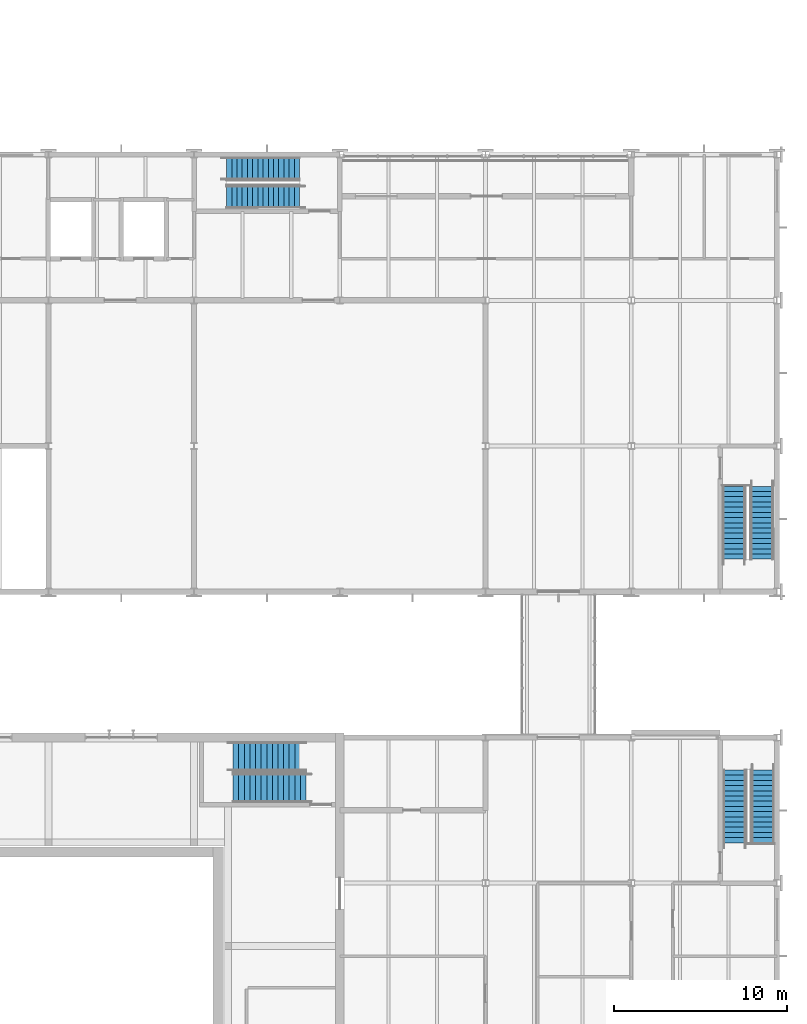
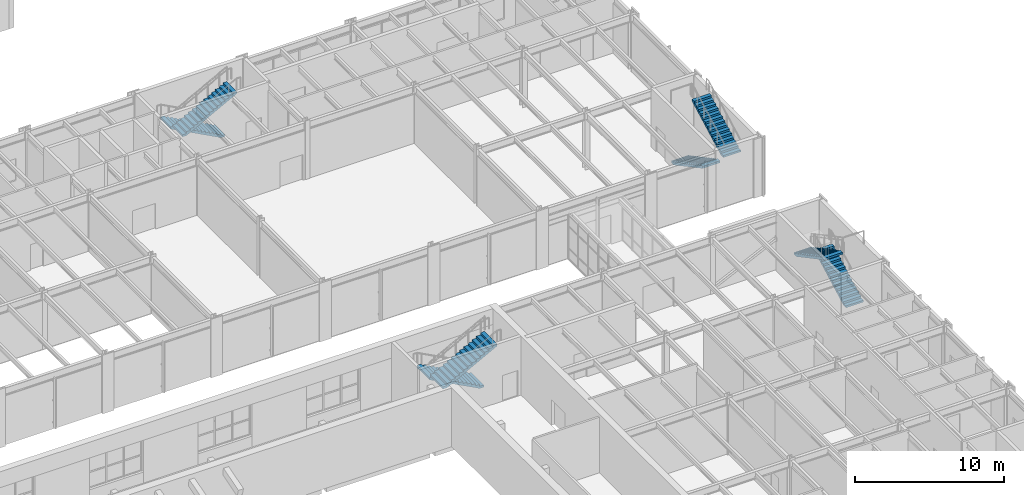
# One storey, part 87 of 127: 8 stair flights, 4 elements without a shape of their own.
"""IFC4 building model written with IfcOpenShell, lengths in metres."""

from ifc_helpers import new_model, si_unit, direction, frame, origin, place, context, subcontext, project, spatial, polyline, outline, extrude, material, type_object, element, aggregate, save


model = new_model("IFC4")

# Units and contexts
model_context = context("Model", 3, precision=1e-05, world=origin(), true_north=direction((0.0, 1.0)))
body_context = subcontext(model_context, "Body", "Model", "MODEL_VIEW")
ifc_project = project(units=[si_unit("LENGTHUNIT", "METRE"), si_unit("AREAUNIT", "SQUARE_METRE"), si_unit("VOLUMEUNIT", "CUBIC_METRE"), si_unit("PLANEANGLEUNIT", "RADIAN"), si_unit("MASSUNIT", "GRAM", prefix="KILO")], contexts=[model_context])

# Site, building, storey
site_placement = place(None, origin())
site = spatial("IfcSite", under=ifc_project, at=site_placement, CompositionType="ELEMENT")
building_placement = place(site_placement, origin())
building = spatial("IfcBuilding", under=site, at=building_placement, Name="Ljudholm Concert House", CompositionType="ELEMENT")
storey_placement = place(building_placement, frame((0.0, 0.0, 5.39990234375)))
storey = spatial("IfcBuildingStorey", under=building, at=storey_placement, Name="L01", CompositionType="ELEMENT", Elevation=5.39990234375)

# Stair, stair flights
ifc_material_1 = material(Name="Concrete 5,000 psi", Category="concrete")
stair_type_1 = type_object("IfcStairType", Name="RC STAIR 1350x160x300", PredefinedType="HALF_TURN_STAIR", material=ifc_material_1)
stair_1_placement = place(storey_placement, origin())
stair_1 = element("IfcStair", 1, at=stair_1_placement, inside=storey, type_object=stair_type_1, Name="Stair SB4", PredefinedType="HALF_TURN_STAIR")
ifc_material_2 = material(Name="Concrete 5,000 psi", Category="concrete")
stair_flight_type_1 = type_object("IfcStairFlightType", Name="RC STAIR FLIGHT 1350x160x300", PredefinedType="STRAIGHT", material=ifc_material_2)
stair_flight_1_placement = place(storey_placement, frame((120.77490234375, 90.324951171875, 0.0), z_axis=(0.0, 0.0, 1.0), x_axis=(0.0, 1.0, 0.0)))
stair_flight_1 = element("IfcStairFlight", 2, at=stair_flight_1_placement, type_object=stair_flight_type_1, Name="ST-W01-004 flight 1", NumberOfRisers=15, NumberOfTreads=14, PredefinedType="STRAIGHT", RiserHeight=0.16, TreadLength=0.3, context=body_context, shape_type="SweptSolid", body=[
    extrude(outline(polyline([(0.0, 0.0), (0.0, 0.159912109375), (0.300048828125, 0.159912109375), (0.300048828125, 0.320068359375), (0.60009765625, 0.320068359375), (0.60009765625, 0.47998046875), (0.89990234375, 0.47998046875), (0.89990234375, 0.639892578125), (1.199951171875, 0.639892578125), (1.199951171875, 0.800048828125), (1.5, 0.800048828125), (1.5, 0.9599609375), (1.800048828125, 0.9599609375), (1.800048828125, 1.1201171875), (2.10009765625, 1.1201171875), (2.10009765625, 1.280029296875), (2.39990234375, 1.280029296875), (2.39990234375, 1.43994140625), (2.699951171875, 1.43994140625), (2.699951171875, 1.60009765625), (3.0, 1.60009765625), (3.0, 1.760009765625), (3.300048828125, 1.760009765625), (3.300048828125, 1.919921875), (3.60009765625, 1.919921875), (3.60009765625, 2.080078125), (3.89990234375, 2.080078125), (3.89990234375, 2.239990234375), (4.199951171875, 2.239990234375), (4.199951171875, 2.39990234375), (4.199951171875, 2.070068359375), (0.318603515625, 0.0), (0.0, 0.0)])), frame((0.0, 0.675048828125, 0.0), z_axis=(0.0, -1.0, 0.0), x_axis=(1.0, 0.0, 0.0)), (0.0, 0.0, 1.0), 1.35009765625),
])
stair_flight_2_placement = place(storey_placement, frame((119.175048828125, 94.52490234375, 2.400146484375), z_axis=(0.0, 0.0, 1.0), x_axis=(0.0, -1.0, 0.0)))
stair_flight_2 = element("IfcStairFlight", 3, at=stair_flight_2_placement, type_object=stair_flight_type_1, Name="ST-W01-004 flight 2", NumberOfRisers=15, NumberOfTreads=14, PredefinedType="STRAIGHT", RiserHeight=0.16, TreadLength=0.3, context=body_context, shape_type="SweptSolid", body=[
    extrude(outline(polyline([(0.0, 0.0), (0.0, 0.159912109375), (0.300048828125, 0.159912109375), (0.300048828125, 0.320068359375), (0.60009765625, 0.320068359375), (0.60009765625, 0.47998046875), (0.89990234375, 0.47998046875), (0.89990234375, 0.639892578125), (1.199951171875, 0.639892578125), (1.199951171875, 0.800048828125), (1.5, 0.800048828125), (1.5, 0.9599609375), (1.800048828125, 0.9599609375), (1.800048828125, 1.1201171875), (2.10009765625, 1.1201171875), (2.10009765625, 1.280029296875), (2.39990234375, 1.280029296875), (2.39990234375, 1.43994140625), (2.699951171875, 1.43994140625), (2.699951171875, 1.60009765625), (3.0, 1.60009765625), (3.0, 1.760009765625), (3.300048828125, 1.760009765625), (3.300048828125, 1.919921875), (3.60009765625, 1.919921875), (3.60009765625, 2.080078125), (3.89990234375, 2.080078125), (3.89990234375, 2.239990234375), (4.199951171875, 2.239990234375), (4.199951171875, 2.39990234375), (4.199951171875, 2.070068359375), (0.318603515625, 0.0), (0.0, 0.0)])), frame((0.0, 0.675048828125, 0.0), z_axis=(0.0, -1.0, 0.0), x_axis=(1.0, 0.0, 0.0)), (0.0, 0.0, 1.0), 1.35009765625),
])
aggregate(stair_1, [stair_flight_1, stair_flight_2])

stair_2_placement = place(storey_placement, origin())
stair_2 = element("IfcStair", 4, at=stair_2_placement, inside=storey, type_object=stair_type_1, Name="Stair R2", PredefinedType="HALF_TURN_STAIR")
stair_flight_3_placement = place(storey_placement, frame((94.074951171875, 129.175048828125, 0.0), z_axis=(0.0, 0.0, 1.0), x_axis=(-1.0, 0.0, 0.0)))
stair_flight_3 = element("IfcStairFlight", 5, at=stair_flight_3_placement, type_object=stair_flight_type_1, Name="ST-R01-002 flight 1", NumberOfRisers=15, NumberOfTreads=14, PredefinedType="STRAIGHT", RiserHeight=0.16, TreadLength=0.3, context=body_context, shape_type="SweptSolid", body=[
    extrude(outline(polyline([(0.0, 0.0), (0.0, 0.159912109375), (0.300048828125, 0.159912109375), (0.300048828125, 0.320068359375), (0.60009765625, 0.320068359375), (0.60009765625, 0.47998046875), (0.89990234375, 0.47998046875), (0.89990234375, 0.639892578125), (1.199951171875, 0.639892578125), (1.199951171875, 0.800048828125), (1.5, 0.800048828125), (1.5, 0.9599609375), (1.800048828125, 0.9599609375), (1.800048828125, 1.1201171875), (2.10009765625, 1.1201171875), (2.10009765625, 1.280029296875), (2.39990234375, 1.280029296875), (2.39990234375, 1.43994140625), (2.699951171875, 1.43994140625), (2.699951171875, 1.60009765625), (3.0, 1.60009765625), (3.0, 1.760009765625), (3.300048828125, 1.760009765625), (3.300048828125, 1.919921875), (3.60009765625, 1.919921875), (3.60009765625, 2.080078125), (3.89990234375, 2.080078125), (3.89990234375, 2.239990234375), (4.199951171875, 2.239990234375), (4.199951171875, 2.39990234375), (4.199951171875, 2.070068359375), (0.318603515625, 0.0), (0.0, 0.0)])), frame((0.0, 0.675048828125, 0.0), z_axis=(0.0, -1.0, 0.0), x_axis=(1.0, 0.0, 0.0)), (0.0, 0.0, 1.0), 1.35009765625),
])
stair_flight_4_placement = place(storey_placement, frame((89.875, 127.574951171875, 2.400146484375), z_axis=(0.0, 0.0, 1.0), x_axis=(1.0, 0.0, 0.0)))
stair_flight_4 = element("IfcStairFlight", 6, at=stair_flight_4_placement, type_object=stair_flight_type_1, Name="ST-R01-002 flight 2", NumberOfRisers=15, NumberOfTreads=14, PredefinedType="STRAIGHT", RiserHeight=0.16, TreadLength=0.3, context=body_context, shape_type="SweptSolid", body=[
    extrude(outline(polyline([(0.0, 0.0), (0.0, 0.159912109375), (0.300048828125, 0.159912109375), (0.300048828125, 0.320068359375), (0.60009765625, 0.320068359375), (0.60009765625, 0.47998046875), (0.89990234375, 0.47998046875), (0.89990234375, 0.639892578125), (1.199951171875, 0.639892578125), (1.199951171875, 0.800048828125), (1.5, 0.800048828125), (1.5, 0.9599609375), (1.800048828125, 0.9599609375), (1.800048828125, 1.1201171875), (2.10009765625, 1.1201171875), (2.10009765625, 1.280029296875), (2.39990234375, 1.280029296875), (2.39990234375, 1.43994140625), (2.699951171875, 1.43994140625), (2.699951171875, 1.60009765625), (3.0, 1.60009765625), (3.0, 1.760009765625), (3.300048828125, 1.760009765625), (3.300048828125, 1.919921875), (3.60009765625, 1.919921875), (3.60009765625, 2.080078125), (3.89990234375, 2.080078125), (3.89990234375, 2.239990234375), (4.199951171875, 2.239990234375), (4.199951171875, 2.39990234375), (4.199951171875, 2.070068359375), (0.318603515625, 0.0), (0.0, 0.0)])), frame((0.0, 0.675048828125, 0.0), z_axis=(0.0, -1.0, 0.0), x_axis=(1.0, 0.0, 0.0)), (0.0, 0.0, 1.0), 1.35009765625),
])
aggregate(stair_2, [stair_flight_3, stair_flight_4])

stair_3_placement = place(storey_placement, origin())
stair_3 = element("IfcStair", 7, at=stair_3_placement, inside=storey, type_object=stair_type_1, Name="Stair R3", PredefinedType="HALF_TURN_STAIR")
stair_flight_5_placement = place(storey_placement, frame((119.125, 110.875, 0.0), z_axis=(0.0, 0.0, 1.0), x_axis=(0.0, -1.0, 0.0)))
stair_flight_5 = element("IfcStairFlight", 8, at=stair_flight_5_placement, type_object=stair_flight_type_1, Name="ST-R01-003 flight 1", NumberOfRisers=15, NumberOfTreads=14, PredefinedType="STRAIGHT", RiserHeight=0.16, TreadLength=0.3, context=body_context, shape_type="SweptSolid", body=[
    extrude(outline(polyline([(0.0, 0.0), (0.0, 0.159912109375), (0.300048828125, 0.159912109375), (0.300048828125, 0.320068359375), (0.60009765625, 0.320068359375), (0.60009765625, 0.47998046875), (0.89990234375, 0.47998046875), (0.89990234375, 0.639892578125), (1.199951171875, 0.639892578125), (1.199951171875, 0.800048828125), (1.5, 0.800048828125), (1.5, 0.9599609375), (1.800048828125, 0.9599609375), (1.800048828125, 1.1201171875), (2.10009765625, 1.1201171875), (2.10009765625, 1.280029296875), (2.39990234375, 1.280029296875), (2.39990234375, 1.43994140625), (2.699951171875, 1.43994140625), (2.699951171875, 1.60009765625), (3.0, 1.60009765625), (3.0, 1.760009765625), (3.300048828125, 1.760009765625), (3.300048828125, 1.919921875), (3.60009765625, 1.919921875), (3.60009765625, 2.080078125), (3.89990234375, 2.080078125), (3.89990234375, 2.239990234375), (4.199951171875, 2.239990234375), (4.199951171875, 2.39990234375), (4.199951171875, 2.070068359375), (0.318603515625, 0.0), (0.0, 0.0)])), frame((0.0, 0.675048828125, 0.0), z_axis=(0.0, -1.0, 0.0), x_axis=(1.0, 0.0, 0.0)), (0.0, 0.0, 1.0), 1.35009765625),
])
stair_flight_6_placement = place(storey_placement, frame((120.72509765625, 106.675048828125, 2.400146484375), z_axis=(0.0, 0.0, 1.0), x_axis=(0.0, 1.0, 0.0)))
stair_flight_6 = element("IfcStairFlight", 9, at=stair_flight_6_placement, type_object=stair_flight_type_1, Name="ST-R01-003 flight 2", NumberOfRisers=15, NumberOfTreads=14, PredefinedType="STRAIGHT", RiserHeight=0.16, TreadLength=0.3, context=body_context, shape_type="SweptSolid", body=[
    extrude(outline(polyline([(0.0, 0.0), (0.0, 0.159912109375), (0.300048828125, 0.159912109375), (0.300048828125, 0.320068359375), (0.60009765625, 0.320068359375), (0.60009765625, 0.47998046875), (0.89990234375, 0.47998046875), (0.89990234375, 0.639892578125), (1.199951171875, 0.639892578125), (1.199951171875, 0.800048828125), (1.5, 0.800048828125), (1.5, 0.9599609375), (1.800048828125, 0.9599609375), (1.800048828125, 1.1201171875), (2.10009765625, 1.1201171875), (2.10009765625, 1.280029296875), (2.39990234375, 1.280029296875), (2.39990234375, 1.43994140625), (2.699951171875, 1.43994140625), (2.699951171875, 1.60009765625), (3.0, 1.60009765625), (3.0, 1.760009765625), (3.300048828125, 1.760009765625), (3.300048828125, 1.919921875), (3.60009765625, 1.919921875), (3.60009765625, 2.080078125), (3.89990234375, 2.080078125), (3.89990234375, 2.239990234375), (4.199951171875, 2.239990234375), (4.199951171875, 2.39990234375), (4.199951171875, 2.070068359375), (0.318603515625, 0.0), (0.0, 0.0)])), frame((0.0, 0.675048828125, 0.0), z_axis=(0.0, -1.0, 0.0), x_axis=(1.0, 0.0, 0.0)), (0.0, 0.0, 1.0), 1.35009765625),
])
aggregate(stair_3, [stair_flight_5, stair_flight_6])

ifc_material_3 = material(Name="Concrete 5,000 psi", Category="concrete")
stair_type_2 = type_object("IfcStairType", Name="RC STAIR 1700x171x323", PredefinedType="HALF_TURN_STAIR", material=ifc_material_3)
stair_4_placement = place(storey_placement, origin())
stair_4 = element("IfcStair", 10, at=stair_4_placement, inside=storey, type_object=stair_type_2, Name="Exit stair EH4", PredefinedType="HALF_TURN_STAIR")
ifc_material_4 = material(Name="Concrete 5,000 psi", Category="concrete")
stair_flight_type_2 = type_object("IfcStairFlightType", Name="RC STAIR FLIGHT 1700x171x323", PredefinedType="STRAIGHT", material=ifc_material_4)
stair_flight_7_placement = place(storey_placement, frame((94.449951171875, 95.300048828125, 0.0), z_axis=(0.0, 0.0, 1.0), x_axis=(-1.0, 0.0, 0.0)))
stair_flight_7 = element("IfcStairFlight", 11, at=stair_flight_7_placement, type_object=stair_flight_type_2, Name="ST-H01-004 flight 1", NumberOfRisers=14, NumberOfTreads=13, PredefinedType="STRAIGHT", RiserHeight=0.171428571, TreadLength=0.323076923, context=body_context, shape_type="SweptSolid", body=[
    extrude(outline(polyline([(0.0, 0.0), (0.0, 0.17138671875), (0.322998046875, 0.17138671875), (0.322998046875, 0.3427734375), (0.646240234375, 0.3427734375), (0.646240234375, 0.514404296875), (0.96923828125, 0.514404296875), (0.96923828125, 0.685791015625), (1.292236328125, 0.685791015625), (1.292236328125, 0.857177734375), (1.615478515625, 0.857177734375), (1.615478515625, 1.028564453125), (1.9384765625, 1.028564453125), (1.9384765625, 1.199951171875), (2.261474609375, 1.199951171875), (2.261474609375, 1.371337890625), (2.584716796875, 1.371337890625), (2.584716796875, 1.54296875), (2.90771484375, 1.54296875), (2.90771484375, 1.71435546875), (3.230712890625, 1.71435546875), (3.230712890625, 1.8857421875), (3.553955078125, 1.8857421875), (3.553955078125, 2.05712890625), (3.876953125, 2.05712890625), (3.876953125, 2.228515625), (4.199951171875, 2.228515625), (4.199951171875, 2.39990234375), (4.199951171875, 2.058837890625), (0.31982421875, 0.0), (0.0, 0.0)])), frame((0.0, 0.85009765625, 0.0), z_axis=(0.0, -1.0, 0.0), x_axis=(1.0, 0.0, 0.0)), (0.0, 0.0, 1.0), 1.699951171875),
])
stair_flight_8_placement = place(storey_placement, frame((90.25, 93.5, 2.400146484375), z_axis=(0.0, 0.0, 1.0), x_axis=(1.0, 0.0, 0.0)))
stair_flight_8 = element("IfcStairFlight", 12, at=stair_flight_8_placement, type_object=stair_flight_type_2, Name="ST-H01-004 flight 2", NumberOfRisers=14, NumberOfTreads=13, PredefinedType="STRAIGHT", RiserHeight=0.171428571, TreadLength=0.323076923, context=body_context, shape_type="SweptSolid", body=[
    extrude(outline(polyline([(0.0, 0.0), (0.0, 0.17138671875), (0.322998046875, 0.17138671875), (0.322998046875, 0.3427734375), (0.646240234375, 0.3427734375), (0.646240234375, 0.514404296875), (0.96923828125, 0.514404296875), (0.96923828125, 0.685791015625), (1.292236328125, 0.685791015625), (1.292236328125, 0.857177734375), (1.615478515625, 0.857177734375), (1.615478515625, 1.028564453125), (1.9384765625, 1.028564453125), (1.9384765625, 1.199951171875), (2.261474609375, 1.199951171875), (2.261474609375, 1.371337890625), (2.584716796875, 1.371337890625), (2.584716796875, 1.54296875), (2.90771484375, 1.54296875), (2.90771484375, 1.71435546875), (3.230712890625, 1.71435546875), (3.230712890625, 1.8857421875), (3.553955078125, 1.8857421875), (3.553955078125, 2.05712890625), (3.876953125, 2.05712890625), (3.876953125, 2.228515625), (4.199951171875, 2.228515625), (4.199951171875, 2.39990234375), (4.199951171875, 2.058837890625), (0.31982421875, 0.0), (0.0, 0.0)])), frame((0.0, 0.85009765625, 0.0), z_axis=(0.0, -1.0, 0.0), x_axis=(1.0, 0.0, 0.0)), (0.0, 0.0, 1.0), 1.699951171875),
])
aggregate(stair_4, [stair_flight_7, stair_flight_8])

save(model, "model.ifc")
